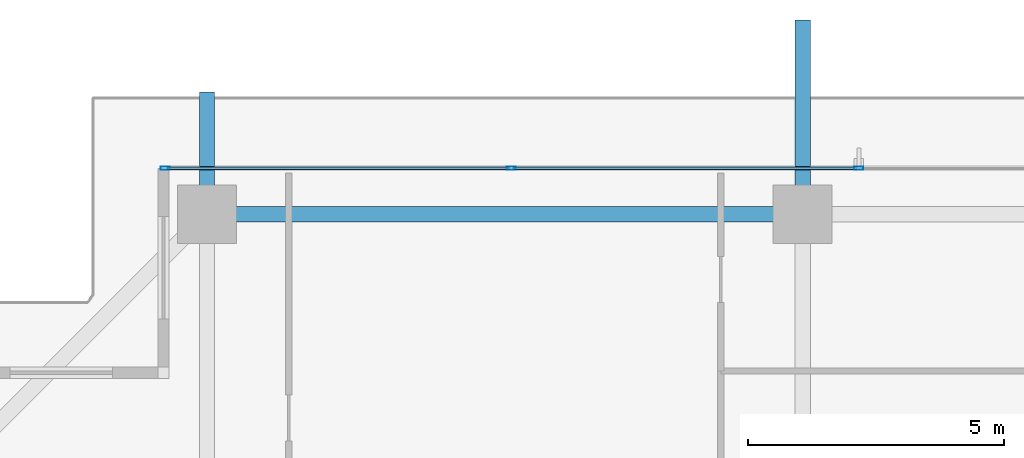
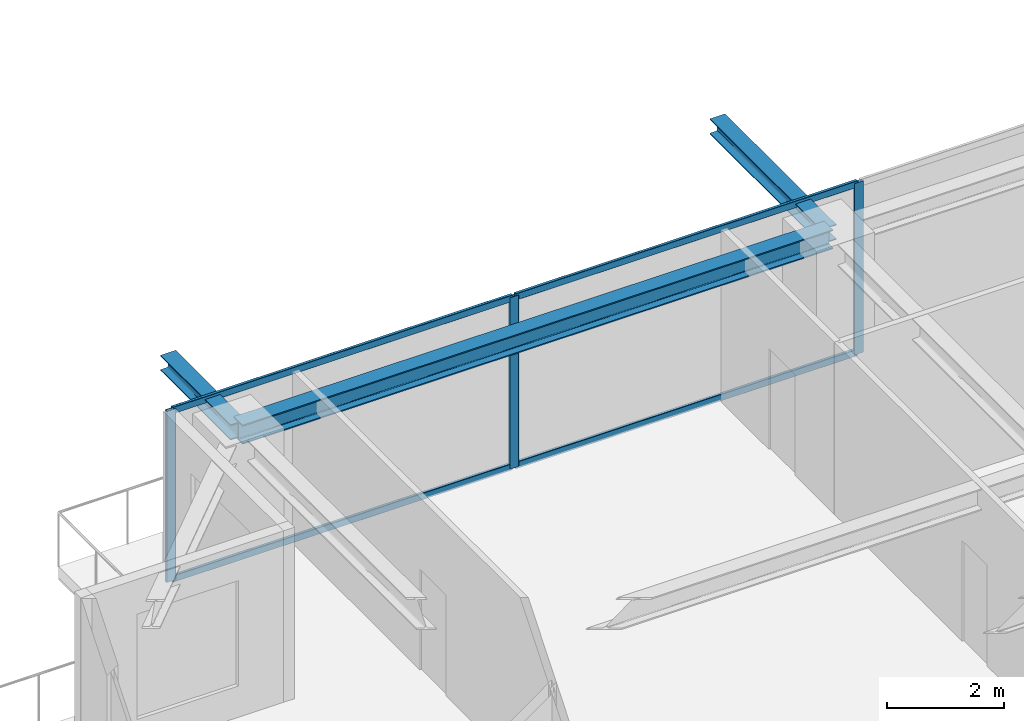
# One storey, part 18 of 37: 7 members, 3 beams, 1 element without a shape of its own.
"""IFC4 building model written with IfcOpenShell, lengths in metres."""

from ifc_helpers import new_model, si_unit, direction, frame, origin, origin_2d, place, context, subcontext, project, spatial, hollow_rectangle, i_section, extrude, source, transform, mapped, material, layer, layer_set, material_profile, profile_set, type_object, element, aggregate, save


model = new_model("IFC4")

# Units and contexts
model_context = context("Model", 3, precision=1e-05, world=origin(), true_north=direction((0.0, 1.0)))
body_context = subcontext(model_context, "Body", "Model", "MODEL_VIEW")
ifc_project = project(units=[si_unit("LENGTHUNIT", "METRE"), si_unit("AREAUNIT", "SQUARE_METRE"), si_unit("VOLUMEUNIT", "CUBIC_METRE"), si_unit("PLANEANGLEUNIT", "RADIAN"), si_unit("MASSUNIT", "GRAM", prefix="KILO")], contexts=[model_context])

# Site, building, storey
site_placement = place(None, origin())
site = spatial("IfcSite", under=ifc_project, at=site_placement, CompositionType="ELEMENT")
building_placement = place(site_placement, origin())
building = spatial("IfcBuilding", under=site, at=building_placement, Name="Serunith Strait Residences", CompositionType="ELEMENT")
storey_placement = place(building_placement, frame((0.0, 0.0, 218.14990234375)))
storey = spatial("IfcBuildingStorey", under=building, at=storey_placement, Name="L54", CompositionType="ELEMENT", Elevation=218.14990234375)

# Beams
ifc_material_1 = material(Name="Steel S355J2", Category="steel")
ifc_material_profile_1 = material_profile(ifc_material_1, i_section(OverallWidth=0.300048828125, OverallDepth=0.39990234375, WebThickness=0.013427734375, FlangeThickness=0.02392578125, FilletRadius=0.027099609375, at=origin_2d()), Name="HEB 400")
ifc_profile_set_1 = profile_set([ifc_material_profile_1], Name="Steel S355J2")
beam_type_1 = type_object("IfcBeamType", Name="BM-HEB400", PredefinedType="BEAM", material=ifc_profile_set_1)
shared_shape_1 = source(origin(), body_context, "Body", "SweptSolid", [
    extrude(i_section(OverallWidth=0.300048828125, OverallDepth=0.39990234375, WebThickness=0.013427734375, FlangeThickness=0.02392578125, FilletRadius=0.027099609375, at=origin_2d()), origin(), (0.0, 0.0, 1.0), 11.64990234375),
])
beam_1_placement = place(storey_placement, frame((27.89990234375, 48.300048828125, 3.38720703125), z_axis=(-1.0, 0.0, 0.0), x_axis=(0.0, -1.0, 0.0)))
element("IfcBeam", 1, at=beam_1_placement, inside=storey, type_object=beam_type_1, Name="L54 Perimeter Ring Beam 11", PredefinedType="BEAM", context=body_context, shape_type="MappedRepresentation", body=[
    mapped(shared_shape_1, transform((0.0, 0.0, 0.0), scale=1.0)),
])
ifc_material_profile_2 = material_profile(ifc_material_1, i_section(OverallWidth=0.300048828125, OverallDepth=0.320068359375, WebThickness=0.011474609375, FlangeThickness=0.0205078125, FilletRadius=0.027099609375, at=origin_2d()), Name="HEB 320")
ifc_profile_set_2 = profile_set([ifc_material_profile_2], Name="Steel S355J2")
beam_type_2 = type_object("IfcBeamType", Name="BM-HEB320", PredefinedType="BEAM", material=ifc_profile_set_2)
shared_shape_2 = source(origin(), body_context, "Body", "SweptSolid", [
    extrude(i_section(OverallWidth=0.300048828125, OverallDepth=0.320068359375, WebThickness=0.011474609375, FlangeThickness=0.0205078125, FilletRadius=0.027099609375, at=origin_2d()), origin(), (0.0, 0.0, 1.0), 3.800048828125),
])
beam_2_placement = place(storey_placement, frame((27.89990234375, 48.300048828125, 3.397216796875), z_axis=(0.0, 1.0, 0.0), x_axis=(-1.0, 0.0, 0.0)))
element("IfcBeam", 2, at=beam_2_placement, inside=storey, type_object=beam_type_2, Name="L55 Cantilevered Balcony Rib TC-N2", PredefinedType="BEAM", context=body_context, shape_type="MappedRepresentation", body=[
    mapped(shared_shape_2, transform((0.0, 0.0, 0.0), scale=1.0)),
])
shared_shape_3 = source(origin(), body_context, "Body", "SweptSolid", [
    extrude(i_section(OverallWidth=0.300048828125, OverallDepth=0.320068359375, WebThickness=0.011474609375, FlangeThickness=0.0205078125, FilletRadius=0.027099609375, at=origin_2d()), origin(), (0.0, 0.0, 1.0), 2.39404296875),
])
beam_3_placement = place(storey_placement, frame((16.25, 48.300048828125, 3.397216796875), z_axis=(0.0, 1.0, 0.0), x_axis=(-1.0, 0.0, 0.0)))
element("IfcBeam", 3, at=beam_3_placement, inside=storey, type_object=beam_type_2, Name="L55 Cantilevered Balcony Rib TC-N1", PredefinedType="BEAM", context=body_context, shape_type="MappedRepresentation", body=[
    mapped(shared_shape_3, transform((0.0, 0.0, 0.0), scale=1.0)),
])

# Curtain wall, members
ifc_material_2 = material(Name="Pale-Champagne Anodised Aluminium", Category="aluminium")
ifc_layer = layer(ifc_material_2, 0.199951171875, Name="Pale-Champagne Anodised Aluminium")
ifc_layer_set = layer_set([ifc_layer], Name="Pale-Champagne Anodised Aluminium")
curtain_wall_type = type_object("IfcCurtainWallType", Name="CW-SYS4", PredefinedType="NOTDEFINED", material=ifc_layer_set)
curtain_wall_placement = place(storey_placement, origin())
curtain_wall = element("IfcCurtainWall", 4, at=curtain_wall_placement, inside=storey, type_object=curtain_wall_type, Name="L54 N Unitised Fritted Curtain Wall", PredefinedType="NOTDEFINED")
ifc_material_profile_3 = material_profile(ifc_material_2, hollow_rectangle(XDim=0.06005859375, YDim=0.139892578125, WallThickness=0.00341796875, InnerFilletRadius=0.00537109375, OuterFilletRadius=0.0087890625, at=origin_2d()), Name="ALU 140x60x3.5")
ifc_profile_set_3 = profile_set([ifc_material_profile_3], Name="Pale-Champagne Anodised Aluminium")
member_type_1 = type_object("IfcMemberType", Name="CW-SYS4-TRAN", PredefinedType="USERDEFINED", material=ifc_profile_set_3)
shared_shape_4 = source(origin(), body_context, "Body", "SweptSolid", [
    extrude(hollow_rectangle(XDim=0.06005859375, YDim=0.139892578125, WallThickness=0.00341796875, InnerFilletRadius=0.00537109375, OuterFilletRadius=0.0087890625, at=origin_2d()), origin(), (0.0, 0.0, 1.0), 6.702392578125),
])
member_1_placement = place(storey_placement, frame((22.16748046875, 49.199951171875, 0.030029296875), z_axis=(-1.0, 0.0, 0.0), x_axis=(0.0, -1.0, 0.0)))
member_1 = element("IfcMember", 5, at=member_1_placement, type_object=member_type_1, Name="CW-4 transom 5.1", ObjectType="TRANSOM", PredefinedType="USERDEFINED", context=body_context, shape_type="MappedRepresentation", body=[
    mapped(shared_shape_4, transform((0.0, 0.0, 0.0), scale=1.0)),
])
member_2_placement = place(storey_placement, frame((22.16748046875, 49.199951171875, 3.545166015625), z_axis=(-1.0, 0.0, 0.0), x_axis=(0.0, -1.0, 0.0)))
member_2 = element("IfcMember", 6, at=member_2_placement, type_object=member_type_1, Name="CW-4 transom 5.2", ObjectType="TRANSOM", PredefinedType="USERDEFINED", context=body_context, shape_type="MappedRepresentation", body=[
    mapped(shared_shape_4, transform((0.0, 0.0, 0.0), scale=1.0)),
])
shared_shape_5 = source(origin(), body_context, "Body", "SweptSolid", [
    extrude(hollow_rectangle(XDim=0.06005859375, YDim=0.139892578125, WallThickness=0.00341796875, InnerFilletRadius=0.00537109375, OuterFilletRadius=0.0087890625, at=origin_2d()), origin(), (0.0, 0.0, 1.0), 6.735107421875),
])
member_3_placement = place(storey_placement, frame((28.967529296875, 49.199951171875, 0.030029296875), z_axis=(-1.0, 0.0, 0.0), x_axis=(0.0, -1.0, 0.0)))
member_3 = element("IfcMember", 7, at=member_3_placement, type_object=member_type_1, Name="CW-4 transom 4.1", ObjectType="TRANSOM", PredefinedType="USERDEFINED", context=body_context, shape_type="MappedRepresentation", body=[
    mapped(shared_shape_5, transform((0.0, 0.0, 0.0), scale=1.0)),
])
member_4_placement = place(storey_placement, frame((28.967529296875, 49.199951171875, 3.545166015625), z_axis=(-1.0, 0.0, 0.0), x_axis=(0.0, -1.0, 0.0)))
member_4 = element("IfcMember", 8, at=member_4_placement, type_object=member_type_1, Name="CW-4 transom 4.2", ObjectType="TRANSOM", PredefinedType="USERDEFINED", context=body_context, shape_type="MappedRepresentation", body=[
    mapped(shared_shape_5, transform((0.0, 0.0, 0.0), scale=1.0)),
])
ifc_material_profile_4 = material_profile(ifc_material_2, hollow_rectangle(XDim=0.06494140625, YDim=0.179931640625, WallThickness=0.00341796875, InnerFilletRadius=0.00537109375, OuterFilletRadius=0.0087890625, at=origin_2d()), Name="ALU 180x65x3.5")
ifc_profile_set_4 = profile_set([ifc_material_profile_4], Name="Pale-Champagne Anodised Aluminium")
member_type_2 = type_object("IfcMemberType", Name="CW-SYS4-MULL", PredefinedType="MULLION", material=ifc_profile_set_4)
shared_shape_6 = source(origin(), body_context, "Body", "SweptSolid", [
    extrude(hollow_rectangle(XDim=0.06494140625, YDim=0.179931640625, WallThickness=0.00341796875, InnerFilletRadius=0.00537109375, OuterFilletRadius=0.0087890625, at=origin_2d()), origin(), (0.0, 0.0, 1.0), 3.5751953125),
])
member_5_placement = place(storey_placement, frame((29.0, 49.199951171875, 0.0), z_axis=(0.0, 0.0, 1.0), x_axis=(0.0, -1.0, 0.0)))
member_5 = element("IfcMember", 9, at=member_5_placement, type_object=member_type_2, Name="CW-4 mullion 4", PredefinedType="MULLION", context=body_context, shape_type="MappedRepresentation", body=[
    mapped(shared_shape_6, transform((0.0, 0.0, 0.0), scale=1.0)),
])
member_6_placement = place(storey_placement, frame((22.199951171875, 49.199951171875, 0.0), z_axis=(0.0, 0.0, 1.0), x_axis=(0.0, -1.0, 0.0)))
member_6 = element("IfcMember", 10, at=member_6_placement, type_object=member_type_2, Name="CW-4 mullion 5", PredefinedType="MULLION", context=body_context, shape_type="MappedRepresentation", body=[
    mapped(shared_shape_6, transform((0.0, 0.0, 0.0), scale=1.0)),
])
member_7_placement = place(storey_placement, frame((15.4326171875, 49.199951171875, 0.0), z_axis=(0.0, 0.0, 1.0), x_axis=(0.0, -1.0, 0.0)))
member_7 = element("IfcMember", 11, at=member_7_placement, type_object=member_type_2, Name="CW-4 mullion 6", PredefinedType="MULLION", context=body_context, shape_type="MappedRepresentation", body=[
    mapped(shared_shape_6, transform((0.0, 0.0, 0.0), scale=1.0)),
])
aggregate(curtain_wall, [member_5, member_6, member_7, member_3, member_4, member_1, member_2])

save(model, "model.ifc")
